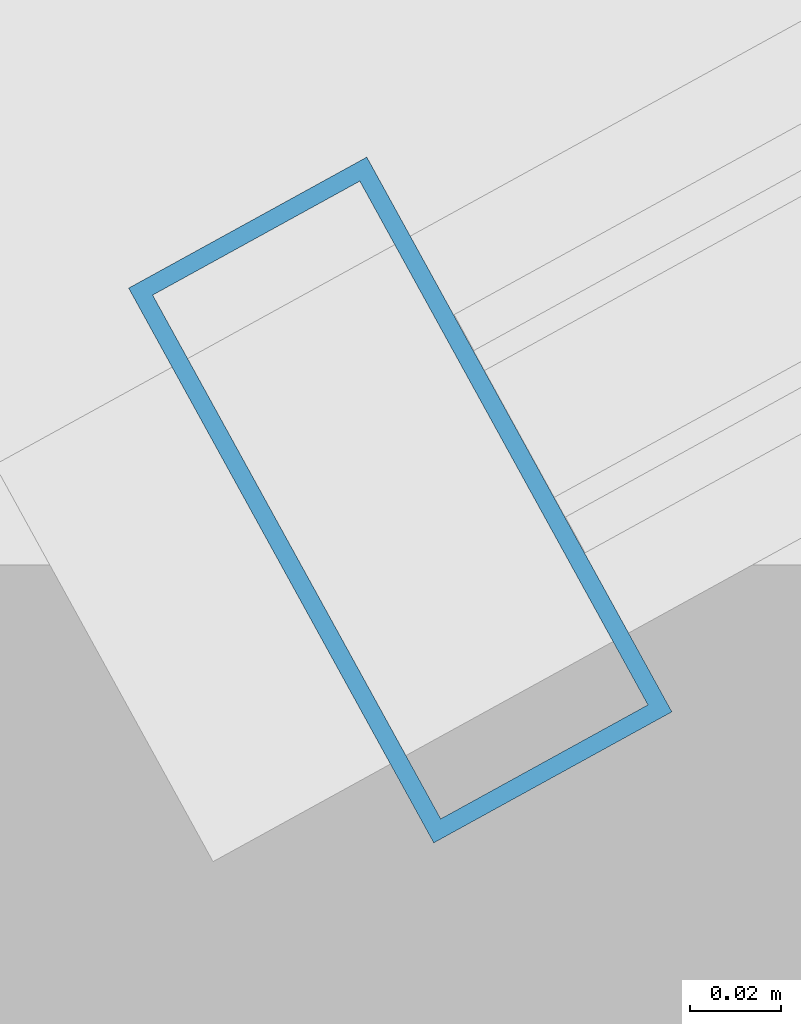
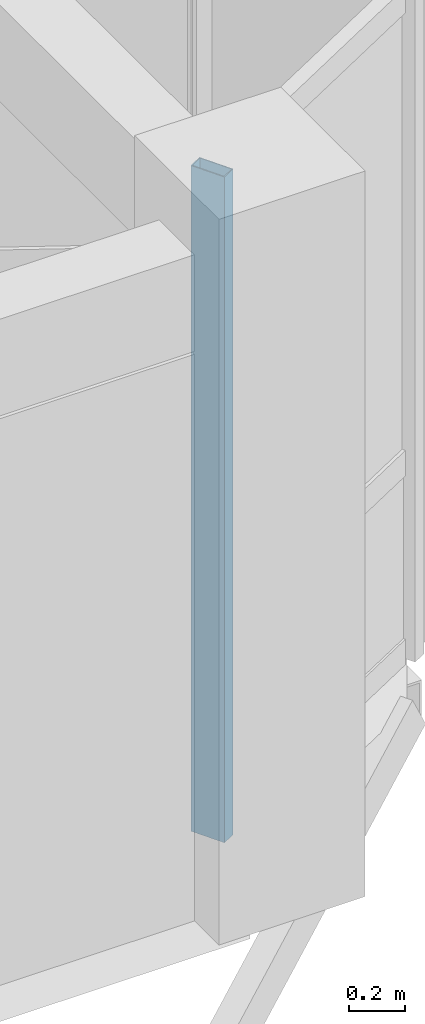
# One storey, part 48 of 124: 1 member, 1 element without a shape of its own.
"""IFC4 building model written with IfcOpenShell, lengths in metres."""

import ifcopenshell
import ifcopenshell.guid

model = None  # the IFC model being written
_history = None  # IfcOwnerHistory: only IFC2X3 demands one
_inside = {}  # id of a spatial element -> (the spatial element, [elements in it])
_under = {}  # id of a project, library or spatial element -> (it, [spatial elements below it])
_declared = {}  # id of a project -> (the project, [libraries it declares])
_typed = {}  # id of a type object -> (the type object, [elements of that type])
_made_of = {}  # id of a material, layer set ... -> (it, [elements and type objects made of it])


def new_model(schema):
    """Start an empty IFC model of exactly this schema.

    Asked for "IFC4X3", IfcOpenShell would pick the latest addendum, in which some entities
    have other attributes; the version numbers below select the first issue.
    IFC2X3 requires an IfcOwnerHistory on every rooted entity: one is made here for all.
    """
    global model, _history
    if schema == "IFC4X3":
        model = ifcopenshell.file(schema_version=(4, 3, 0, 0))
    else:
        model = ifcopenshell.file(schema=schema)
    _inside.clear()
    _under.clear()
    _declared.clear()
    _typed.clear()
    _made_of.clear()
    _history = None
    if model.schema == "IFC2X3":
        org = make("IfcOrganization", Name="unknown")
        user = make(
            "IfcPersonAndOrganization",
            ThePerson=make("IfcPerson", FamilyName="unknown"),
            TheOrganization=org,
        )
        app = make(
            "IfcApplication",
            ApplicationDeveloper=org,
            Version="unknown",
            ApplicationFullName="unknown",
            ApplicationIdentifier="unknown",
        )
        _history = make(
            "IfcOwnerHistory",
            OwningUser=user,
            OwningApplication=app,
            ChangeAction="ADDED",
            CreationDate=0,
        )
    return model


def make(cls, **values):
    """One entity of the class cls with the attributes given. An attribute that is None is left unset."""
    return model.create_entity(
        cls, **{name: value for name, value in values.items() if value is not None}
    )


def rooted(cls, **values):
    """An entity with a GlobalId (a new one), such as an element, a storey or a relation."""
    return make(cls, GlobalId=ifcopenshell.guid.new(), OwnerHistory=_history, **values)


def si_unit(unit_type, name, prefix=None):
    """IfcSIUnit, for example si_unit("LENGTHUNIT", "METRE", prefix="MILLI")."""
    return make("IfcSIUnit", UnitType=unit_type, Prefix=prefix, Name=name)


def assignment(units):
    """IfcUnitAssignment: the units of a project."""
    return None if units is None else make("IfcUnitAssignment", Units=units)


def point(xyz):
    """IfcCartesianPoint."""
    return None if xyz is None else make("IfcCartesianPoint", Coordinates=xyz)


def direction(xyz):
    """IfcDirection."""
    return None if xyz is None else make("IfcDirection", DirectionRatios=xyz)


def frame(location, z_axis=None, x_axis=None):
    """IfcAxis2Placement3D, a coordinate frame: its origin and axes. An axis left out is left unset."""
    return make(
        "IfcAxis2Placement3D",
        Location=point(location),
        Axis=direction(z_axis),
        RefDirection=direction(x_axis),
    )


def frame_2d(location, x_axis=None):
    """IfcAxis2Placement2D, a coordinate frame in the plane: its origin and x axis."""
    return make(
        "IfcAxis2Placement2D", Location=point(location), RefDirection=direction(x_axis)
    )


def origin():
    """The frame at (0, 0, 0) with its axes left unset."""
    return frame((0.0, 0.0, 0.0))


def origin_2d():
    """The frame at (0, 0) in the plane with its x axis left unset."""
    return frame_2d((0.0, 0.0))


def place(relative_to, where):
    """IfcLocalPlacement: puts the frame where relative to a parent placement (None: the world)."""
    return make(
        "IfcLocalPlacement", PlacementRelTo=relative_to, RelativePlacement=where
    )


def context(
    kind, dimensions, precision=None, world=None, true_north=None, identifier=None
):
    """IfcGeometricRepresentationContext, for example the 3D "Model" context."""
    return make(
        "IfcGeometricRepresentationContext",
        ContextIdentifier=identifier,
        ContextType=kind,
        CoordinateSpaceDimension=dimensions,
        Precision=precision,
        WorldCoordinateSystem=world,
        TrueNorth=true_north,
    )


def subcontext(parent, identifier, kind, view, scale=None):
    """IfcGeometricRepresentationSubContext, for example "Body" below "Model"."""
    return make(
        "IfcGeometricRepresentationSubContext",
        ContextIdentifier=identifier,
        ContextType=kind,
        ParentContext=parent,
        TargetScale=scale,
        TargetView=view,
    )


def project(units=None, contexts=None):
    """IfcProject with its units and contexts."""
    return rooted(
        "IfcProject",
        Name="project",
        RepresentationContexts=contexts,
        UnitsInContext=assignment(units),
    )


def spatial(cls, under=None, at=None, **own):
    """A site, building, storey or space (cls), placed at a placement, below another one or the project."""
    s = rooted(cls, ObjectPlacement=at, **own)
    if under is not None:
        _under.setdefault(under.id(), (under, []))[1].append(s)
    return s


def profile(cls, at=None, kind="AREA", **sizes):
    """A parametric profile (cls). Its sizes go by their IFC names, for example OverallWidth=200.0."""
    return make(cls, ProfileType=kind, Position=at, **sizes)


def hollow_rectangle(**sizes):
    """IfcRectangleHollowProfileDef."""
    return profile("IfcRectangleHollowProfileDef", **sizes)


def extrude(swept, where, along, depth):
    """IfcExtrudedAreaSolid: the profile swept, set in the frame where, extruded along a direction by depth."""
    return make(
        "IfcExtrudedAreaSolid",
        SweptArea=swept,
        Position=where,
        ExtrudedDirection=direction(along),
        Depth=depth,
    )


def shape(context_of_items, identifier, shape_type, items):
    """IfcShapeRepresentation: the items that make up one representation, for example the "Body"."""
    return make(
        "IfcShapeRepresentation",
        ContextOfItems=context_of_items,
        RepresentationIdentifier=identifier,
        RepresentationType=shape_type,
        Items=items,
    )


def material(Name=None, Category=None):
    """IfcMaterial."""
    return make("IfcMaterial", Name=Name, Category=Category)


def layer(
    of_material, thickness, ventilated=None, Name=None, Category=None, Priority=None
):
    """IfcMaterialLayer: one layer of a wall or slab, of a material (None: an air gap)."""
    return make(
        "IfcMaterialLayer",
        Material=of_material,
        LayerThickness=thickness,
        IsVentilated=ventilated,
        Name=Name,
        Category=Category,
        Priority=Priority,
    )


def layer_set(layers, Name=None):
    """IfcMaterialLayerSet."""
    return make("IfcMaterialLayerSet", MaterialLayers=layers, LayerSetName=Name)


def material_profile(
    of_material, cross_section, Name=None, Category=None, Priority=None
):
    """IfcMaterialProfile: a cross section and its material."""
    return make(
        "IfcMaterialProfile",
        Name=Name,
        Material=of_material,
        Profile=cross_section,
        Priority=Priority,
        Category=Category,
    )


def profile_set(profiles, Name=None, composite=None):
    """IfcMaterialProfileSet."""
    return make(
        "IfcMaterialProfileSet",
        Name=Name,
        MaterialProfiles=profiles,
        CompositeProfile=composite,
    )


def made_of(thing, what):
    """Note that an element or type object is made of a material, layer set ...; save() writes the relation."""
    if what is not None:
        _made_of.setdefault(what.id(), (what, []))[1].append(thing)
    return thing


def type_object(cls, material=None, **own):
    """A type object (cls), such as IfcWallType, which elements share."""
    return made_of(rooted(cls, **own), material)


def element(
    cls,
    number,
    at=None,
    inside=None,
    cuts=None,
    type_object=None,
    material=None,
    context=None,
    identifier="Body",
    shape_type=None,
    held_by="IfcProductDefinitionShape",
    body=None,
    shapes=None,
    **own,
):
    """One element of the class cls, such as IfcWall. Its Tag is "e" and its number.

    at: its placement. inside: the storey or other place that contains it. cuts: it is an
    opening in that element (IfcRelVoidsElement). A single representation is given by context,
    identifier, shape_type and body (its items); several are given by shapes. held_by: the class
    of the entity that holds the representations. save() writes the other relations.
    """
    e = rooted(cls, Tag="e%d" % number, ObjectPlacement=at, **own)
    if body is not None:
        shapes = [shape(context, identifier, shape_type, body)]
    if shapes is not None:
        e.Representation = make(held_by, Representations=shapes)
    if inside is not None:
        _inside.setdefault(inside.id(), (inside, []))[1].append(e)
    if cuts is not None:
        rooted(
            "IfcRelVoidsElement", RelatingBuildingElement=cuts, RelatedOpeningElement=e
        )
    if type_object is not None:
        _typed.setdefault(type_object.id(), (type_object, []))[1].append(e)
    return made_of(e, material)


def aggregate(whole, parts):
    """IfcRelAggregates: a whole, such as a stair, and the parts it consists of."""
    return rooted("IfcRelAggregates", RelatingObject=whole, RelatedObjects=parts)


def save(model, path):
    """Write the relations noted so far, then the file.

    IfcRelAggregates (storeys below a building ...), IfcRelContainedInSpatialStructure (elements
    in a storey), IfcRelDefinesByType, IfcRelAssociatesMaterial and IfcRelDeclares: one each for
    every whole, place, type object, material and project.
    """
    for whole, parts in _under.values():
        aggregate(whole, parts)
    for where, things in _inside.values():
        rooted(
            "IfcRelContainedInSpatialStructure",
            RelatedElements=things,
            RelatingStructure=where,
        )
    for kind, things in _typed.values():
        rooted("IfcRelDefinesByType", RelatedObjects=things, RelatingType=kind)
    for what, things in _made_of.values():
        rooted("IfcRelAssociatesMaterial", RelatedObjects=things, RelatingMaterial=what)
    for by, libraries in _declared.values():
        rooted("IfcRelDeclares", RelatingContext=by, RelatedDefinitions=libraries)
    model.write(path)


model = new_model("IFC4")

# Units and contexts
model_context = context("Model", 3, precision=1e-05, world=origin(), true_north=direction((0.0, 1.0)))
body_context = subcontext(model_context, "Body", "Model", "MODEL_VIEW")
ifc_project = project(units=[si_unit("LENGTHUNIT", "METRE"), si_unit("AREAUNIT", "SQUARE_METRE"), si_unit("VOLUMEUNIT", "CUBIC_METRE"), si_unit("PLANEANGLEUNIT", "RADIAN"), si_unit("MASSUNIT", "GRAM", prefix="KILO"), si_unit("THERMODYNAMICTEMPERATUREUNIT", "KELVIN"), si_unit("POWERUNIT", "WATT")], contexts=[model_context])

# Site, building, storey
site_placement = place(None, origin())
site = spatial("IfcSite", under=ifc_project, at=site_placement, CompositionType="ELEMENT")
building_placement = place(site_placement, origin())
building = spatial("IfcBuilding", under=site, at=building_placement, Name="Tavuni Mirador Residences", CompositionType="ELEMENT")
storey_placement = place(building_placement, frame((0.0, 0.0, 7.64990234375)))
storey = spatial("IfcBuildingStorey", under=building, at=storey_placement, Name="L02", CompositionType="ELEMENT", Elevation=7.64990234375)

# Curtain wall, member
ifc_material = material(Name="Anodised aluminium", Category="aluminium")
ifc_layer = layer(ifc_material, 0.175048828125, Name="Anodised aluminium", Category="aluminium")
ifc_layer_set = layer_set([ifc_layer], Name="Anodised aluminium")
curtain_wall_type = type_object("IfcCurtainWallType", Name="CWT-MIR-C", PredefinedType="NOTDEFINED", material=ifc_layer_set)
curtain_wall_placement = place(storey_placement, origin())
curtain_wall = element("IfcCurtainWall", 1, at=curtain_wall_placement, inside=storey, type_object=curtain_wall_type, Name="CW-MIR-D-E1-L02-M1", PredefinedType="NOTDEFINED")
ifc_material_profile = material_profile(ifc_material, hollow_rectangle(XDim=0.06005859375, YDim=0.139892578125, WallThickness=0.00390625, at=origin_2d()), Name="ALU 60x140x4.0", Category="aluminium")
ifc_profile_set = profile_set([ifc_material_profile], Name="Anodised aluminium")
member_type = type_object("IfcMemberType", Name="CWM-140", PredefinedType="MULLION", material=ifc_profile_set)
member_placement = place(storey_placement, frame((118.826171875, 86.71435546875, 0.0), z_axis=(0.0, 0.0, 1.0), x_axis=(0.876215908676, 0.481918749773, 0.0)))
member = element("IfcMember", 2, at=member_placement, type_object=member_type, Name="CW-03 mullion 1", PredefinedType="MULLION", context=body_context, shape_type="SweptSolid", body=[
    extrude(hollow_rectangle(XDim=0.06005859375, YDim=0.139892578125, WallThickness=0.00390625, at=origin_2d()), origin(), (0.0, 0.0, 1.0), 2.89013671875),
])
aggregate(curtain_wall, [member])

save(model, "model.ifc")
